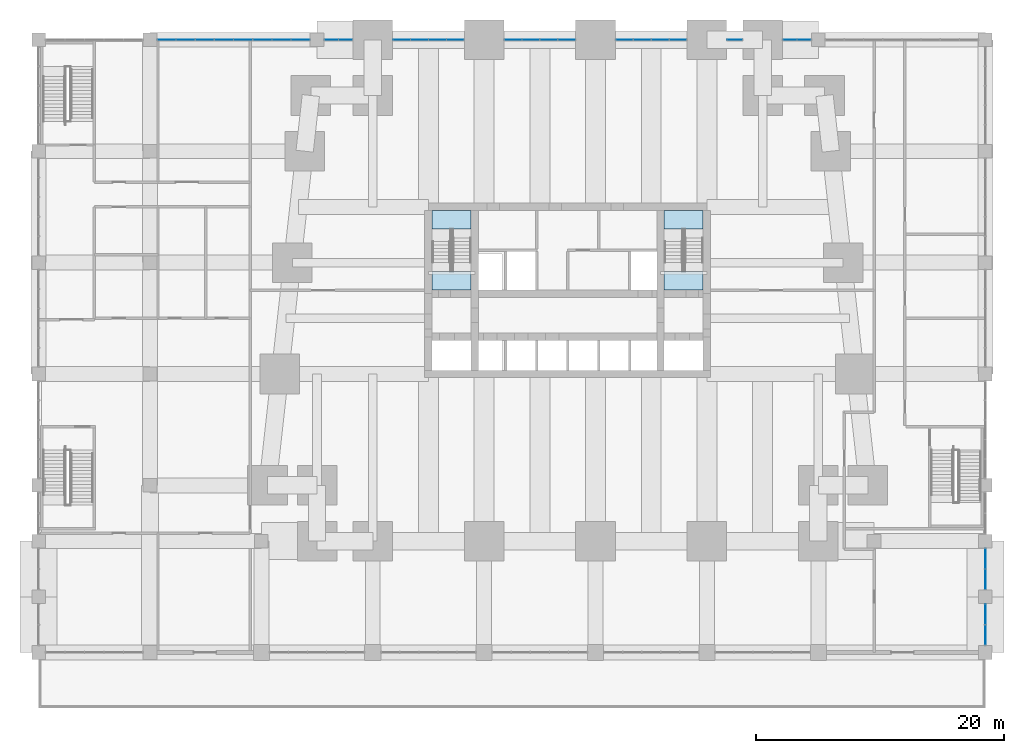
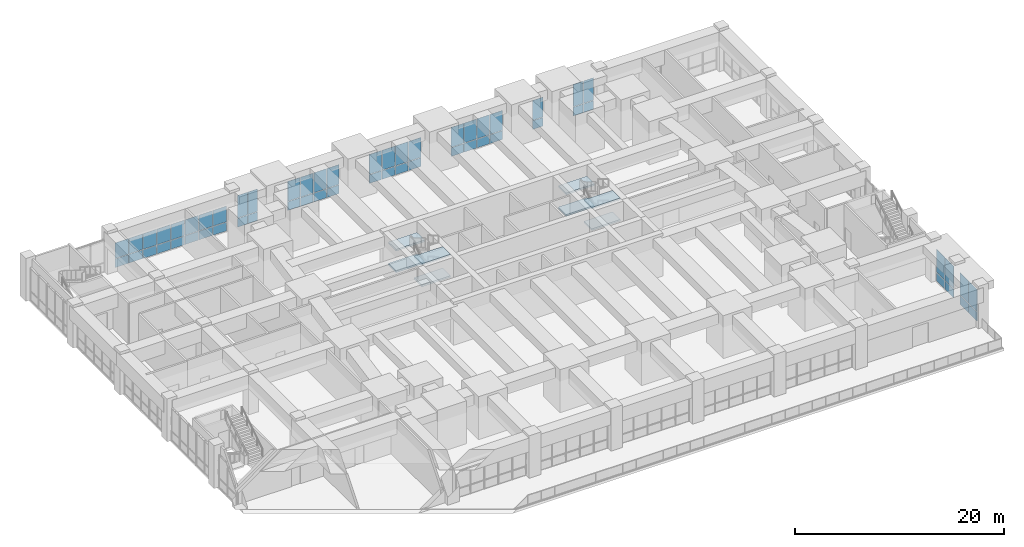
# One storey, part 19 of 27: 58 plates, 8 slabs, 11 elements without a shape of their own.
"""IFC4 building model written with IfcOpenShell, lengths in metres."""

from ifc_helpers import new_model, si_unit, direction, frame, origin, origin_2d, place, context, subcontext, project, spatial, polyline, rectangle, outline, extrude, material, layer, layer_set, type_object, element, aggregate, save


model = new_model("IFC4")

# Units and contexts
model_context = context("Model", 3, precision=1e-05, world=origin(), true_north=direction((0.0, 1.0)))
body_context = subcontext(model_context, "Body", "Model", "MODEL_VIEW")
ifc_project = project(units=[si_unit("LENGTHUNIT", "METRE"), si_unit("AREAUNIT", "SQUARE_METRE"), si_unit("VOLUMEUNIT", "CUBIC_METRE"), si_unit("PLANEANGLEUNIT", "RADIAN"), si_unit("MASSUNIT", "GRAM", prefix="KILO")], contexts=[model_context])

# Site, building, storey
site_placement = place(None, origin())
site = spatial("IfcSite", under=ifc_project, at=site_placement, CompositionType="ELEMENT")
building_placement = place(site_placement, origin())
building = spatial("IfcBuilding", under=site, at=building_placement, Name="Kilele Tower Hotel", CompositionType="ELEMENT")
storey_placement = place(building_placement, frame((0.0, 0.0, 6.0)))
storey = spatial("IfcBuildingStorey", under=building, at=storey_placement, Name="L01", CompositionType="ELEMENT", Elevation=6.0)

# Curtain wall, plates
ifc_material_1 = material(Name="Aluminium curtain wall, clear double glazing", Category="aluminium")
curtain_wall_type_1 = type_object("IfcCurtainWallType", Name="Podium curtain wall CW-1", PredefinedType="NOTDEFINED", material=ifc_material_1)
curtain_wall_1_placement = place(storey_placement, origin())
curtain_wall_1 = element("IfcCurtainWall", 1, at=curtain_wall_1_placement, inside=storey, type_object=curtain_wall_type_1, Name="Podium curtain wall CW-1 L01", PredefinedType="NOTDEFINED")
ifc_material_2 = material(Name="Clear double glazing", Category="glass")
ifc_layer_1 = layer(ifc_material_2, 0.028076171875)
ifc_layer_set_1 = layer_set([ifc_layer_1], Name="Clear double glazing")
plate_type_1 = type_object("IfcPlateType", Name="Glazed panel 28 CW-1", PredefinedType="CURTAIN_PANEL", material=ifc_layer_set_1)
plate_1_placement = place(storey_placement, frame((43.847412109375, 40.5, 0.06005859375), z_axis=(0.0, 0.0, 1.0), x_axis=(-1.0, 0.0, 0.0)))
plate_1 = element("IfcPlate", 2, at=plate_1_placement, type_object=plate_type_1, Name="CW-1 panel 1.1", PredefinedType="CURTAIN_PANEL", context=body_context, shape_type="SweptSolid", body=[
    extrude(rectangle(XDim=1.0849609375, YDim=0.028076171875, at=origin_2d()), origin(), (0.0, 0.0, 1.0), 1.010009765625),
])
plate_2_placement = place(storey_placement, frame((43.847412109375, 40.5, 1.1298828125), z_axis=(0.0, 0.0, 1.0), x_axis=(-1.0, 0.0, 0.0)))
plate_2 = element("IfcPlate", 3, at=plate_2_placement, type_object=plate_type_1, Name="CW-1 panel 1.2", PredefinedType="CURTAIN_PANEL", context=body_context, shape_type="SweptSolid", body=[
    extrude(rectangle(XDim=1.0849609375, YDim=0.028076171875, at=origin_2d()), origin(), (0.0, 0.0, 1.0), 2.610107421875),
])
plate_3_placement = place(storey_placement, frame((42.702392578125, 40.5, 0.06005859375), z_axis=(0.0, 0.0, 1.0), x_axis=(-1.0, 0.0, 0.0)))
plate_3 = element("IfcPlate", 4, at=plate_3_placement, type_object=plate_type_1, Name="CW-1 panel 2.1", PredefinedType="CURTAIN_PANEL", context=body_context, shape_type="SweptSolid", body=[
    extrude(rectangle(XDim=1.0849609375, YDim=0.028076171875, at=origin_2d()), origin(), (0.0, 0.0, 1.0), 1.010009765625),
])
plate_4_placement = place(storey_placement, frame((42.702392578125, 40.5, 1.1298828125), z_axis=(0.0, 0.0, 1.0), x_axis=(-1.0, 0.0, 0.0)))
plate_4 = element("IfcPlate", 5, at=plate_4_placement, type_object=plate_type_1, Name="CW-1 panel 2.2", PredefinedType="CURTAIN_PANEL", context=body_context, shape_type="SweptSolid", body=[
    extrude(rectangle(XDim=1.0849609375, YDim=0.028076171875, at=origin_2d()), origin(), (0.0, 0.0, 1.0), 2.610107421875),
])
aggregate(curtain_wall_1, [plate_1, plate_2, plate_3, plate_4])

curtain_wall_2_placement = place(storey_placement, origin())
curtain_wall_2 = element("IfcCurtainWall", 6, at=curtain_wall_2_placement, inside=storey, type_object=curtain_wall_type_1, Name="Podium curtain wall CW-1 L01", PredefinedType="NOTDEFINED")
plate_5_placement = place(storey_placement, frame((38.25, 40.5, 0.06005859375), z_axis=(0.0, 0.0, 1.0), x_axis=(-1.0, 0.0, 0.0)))
plate_5 = element("IfcPlate", 7, at=plate_5_placement, type_object=plate_type_1, Name="CW-1 panel 1.1", PredefinedType="CURTAIN_PANEL", context=body_context, shape_type="SweptSolid", body=[
    extrude(rectangle(XDim=1.179931640625, YDim=0.028076171875, at=origin_2d()), origin(), (0.0, 0.0, 1.0), 1.010009765625),
])
plate_6_placement = place(storey_placement, frame((38.25, 40.5, 1.1298828125), z_axis=(0.0, 0.0, 1.0), x_axis=(-1.0, 0.0, 0.0)))
plate_6 = element("IfcPlate", 8, at=plate_6_placement, type_object=plate_type_1, Name="CW-1 panel 1.2", PredefinedType="CURTAIN_PANEL", context=body_context, shape_type="SweptSolid", body=[
    extrude(rectangle(XDim=1.179931640625, YDim=0.028076171875, at=origin_2d()), origin(), (0.0, 0.0, 1.0), 2.31005859375),
])
aggregate(curtain_wall_2, [plate_5, plate_6])

curtain_wall_3_placement = place(storey_placement, origin())
curtain_wall_3 = element("IfcCurtainWall", 9, at=curtain_wall_3_placement, inside=storey, type_object=curtain_wall_type_1, Name="Podium curtain wall CW-1 L01", PredefinedType="NOTDEFINED")
plate_7_placement = place(storey_placement, frame((33.659912109375, 40.5, 0.06005859375), z_axis=(0.0, 0.0, 1.0), x_axis=(-1.0, 0.0, 0.0)))
plate_7 = element("IfcPlate", 10, at=plate_7_placement, type_object=plate_type_1, Name="CW-1 panel 1.1", PredefinedType="CURTAIN_PANEL", context=body_context, shape_type="SweptSolid", body=[
    extrude(rectangle(XDim=1.360107421875, YDim=0.028076171875, at=origin_2d()), origin(), (0.0, 0.0, 1.0), 1.010009765625),
])
plate_8_placement = place(storey_placement, frame((33.659912109375, 40.5, 1.1298828125), z_axis=(0.0, 0.0, 1.0), x_axis=(-1.0, 0.0, 0.0)))
plate_8 = element("IfcPlate", 11, at=plate_8_placement, type_object=plate_type_1, Name="CW-1 panel 1.2", PredefinedType="CURTAIN_PANEL", context=body_context, shape_type="SweptSolid", body=[
    extrude(rectangle(XDim=1.360107421875, YDim=0.028076171875, at=origin_2d()), origin(), (0.0, 0.0, 1.0), 2.31005859375),
])
plate_9_placement = place(storey_placement, frame((32.22509765625, 40.5, 0.06005859375), z_axis=(0.0, 0.0, 1.0), x_axis=(-1.0, 0.0, 0.0)))
plate_9 = element("IfcPlate", 12, at=plate_9_placement, type_object=plate_type_1, Name="CW-1 panel 2.1", PredefinedType="CURTAIN_PANEL", context=body_context, shape_type="SweptSolid", body=[
    extrude(rectangle(XDim=1.389892578125, YDim=0.028076171875, at=origin_2d()), origin(), (0.0, 0.0, 1.0), 1.010009765625),
])
plate_10_placement = place(storey_placement, frame((32.22509765625, 40.5, 1.1298828125), z_axis=(0.0, 0.0, 1.0), x_axis=(-1.0, 0.0, 0.0)))
plate_10 = element("IfcPlate", 13, at=plate_10_placement, type_object=plate_type_1, Name="CW-1 panel 2.2", PredefinedType="CURTAIN_PANEL", context=body_context, shape_type="SweptSolid", body=[
    extrude(rectangle(XDim=1.389892578125, YDim=0.028076171875, at=origin_2d()), origin(), (0.0, 0.0, 1.0), 2.31005859375),
])
plate_11_placement = place(storey_placement, frame((30.77490234375, 40.5, 0.06005859375), z_axis=(0.0, 0.0, 1.0), x_axis=(-1.0, 0.0, 0.0)))
plate_11 = element("IfcPlate", 14, at=plate_11_placement, type_object=plate_type_1, Name="CW-1 panel 3.1", PredefinedType="CURTAIN_PANEL", context=body_context, shape_type="SweptSolid", body=[
    extrude(rectangle(XDim=1.389892578125, YDim=0.028076171875, at=origin_2d()), origin(), (0.0, 0.0, 1.0), 1.010009765625),
])
plate_12_placement = place(storey_placement, frame((30.77490234375, 40.5, 1.1298828125), z_axis=(0.0, 0.0, 1.0), x_axis=(-1.0, 0.0, 0.0)))
plate_12 = element("IfcPlate", 15, at=plate_12_placement, type_object=plate_type_1, Name="CW-1 panel 3.2", PredefinedType="CURTAIN_PANEL", context=body_context, shape_type="SweptSolid", body=[
    extrude(rectangle(XDim=1.389892578125, YDim=0.028076171875, at=origin_2d()), origin(), (0.0, 0.0, 1.0), 2.31005859375),
])
plate_13_placement = place(storey_placement, frame((29.340087890625, 40.5, 0.06005859375), z_axis=(0.0, 0.0, 1.0), x_axis=(-1.0, 0.0, 0.0)))
plate_13 = element("IfcPlate", 16, at=plate_13_placement, type_object=plate_type_1, Name="CW-1 panel 4.1", PredefinedType="CURTAIN_PANEL", context=body_context, shape_type="SweptSolid", body=[
    extrude(rectangle(XDim=1.360107421875, YDim=0.028076171875, at=origin_2d()), origin(), (0.0, 0.0, 1.0), 1.010009765625),
])
plate_14_placement = place(storey_placement, frame((29.340087890625, 40.5, 1.1298828125), z_axis=(0.0, 0.0, 1.0), x_axis=(-1.0, 0.0, 0.0)))
plate_14 = element("IfcPlate", 17, at=plate_14_placement, type_object=plate_type_1, Name="CW-1 panel 4.2", PredefinedType="CURTAIN_PANEL", context=body_context, shape_type="SweptSolid", body=[
    extrude(rectangle(XDim=1.360107421875, YDim=0.028076171875, at=origin_2d()), origin(), (0.0, 0.0, 1.0), 2.31005859375),
])
aggregate(curtain_wall_3, [plate_7, plate_8, plate_9, plate_10, plate_11, plate_12, plate_13, plate_14])

curtain_wall_4_placement = place(storey_placement, origin())
curtain_wall_4 = element("IfcCurtainWall", 18, at=curtain_wall_4_placement, inside=storey, type_object=curtain_wall_type_1, Name="Podium curtain wall CW-1 L01", PredefinedType="NOTDEFINED")
plate_15_placement = place(storey_placement, frame((24.659912109375, 40.5, 0.06005859375), z_axis=(0.0, 0.0, 1.0), x_axis=(-1.0, 0.0, 0.0)))
plate_15 = element("IfcPlate", 19, at=plate_15_placement, type_object=plate_type_1, Name="CW-1 panel 1.1", PredefinedType="CURTAIN_PANEL", context=body_context, shape_type="SweptSolid", body=[
    extrude(rectangle(XDim=1.360107421875, YDim=0.028076171875, at=origin_2d()), origin(), (0.0, 0.0, 1.0), 1.010009765625),
])
plate_16_placement = place(storey_placement, frame((24.659912109375, 40.5, 1.1298828125), z_axis=(0.0, 0.0, 1.0), x_axis=(-1.0, 0.0, 0.0)))
plate_16 = element("IfcPlate", 20, at=plate_16_placement, type_object=plate_type_1, Name="CW-1 panel 1.2", PredefinedType="CURTAIN_PANEL", context=body_context, shape_type="SweptSolid", body=[
    extrude(rectangle(XDim=1.360107421875, YDim=0.028076171875, at=origin_2d()), origin(), (0.0, 0.0, 1.0), 2.31005859375),
])
plate_17_placement = place(storey_placement, frame((23.22509765625, 40.5, 0.06005859375), z_axis=(0.0, 0.0, 1.0), x_axis=(-1.0, 0.0, 0.0)))
plate_17 = element("IfcPlate", 21, at=plate_17_placement, type_object=plate_type_1, Name="CW-1 panel 2.1", PredefinedType="CURTAIN_PANEL", context=body_context, shape_type="SweptSolid", body=[
    extrude(rectangle(XDim=1.389892578125, YDim=0.028076171875, at=origin_2d()), origin(), (0.0, 0.0, 1.0), 1.010009765625),
])
plate_18_placement = place(storey_placement, frame((23.22509765625, 40.5, 1.1298828125), z_axis=(0.0, 0.0, 1.0), x_axis=(-1.0, 0.0, 0.0)))
plate_18 = element("IfcPlate", 22, at=plate_18_placement, type_object=plate_type_1, Name="CW-1 panel 2.2", PredefinedType="CURTAIN_PANEL", context=body_context, shape_type="SweptSolid", body=[
    extrude(rectangle(XDim=1.389892578125, YDim=0.028076171875, at=origin_2d()), origin(), (0.0, 0.0, 1.0), 2.31005859375),
])
plate_19_placement = place(storey_placement, frame((21.77490234375, 40.5, 0.06005859375), z_axis=(0.0, 0.0, 1.0), x_axis=(-1.0, 0.0, 0.0)))
plate_19 = element("IfcPlate", 23, at=plate_19_placement, type_object=plate_type_1, Name="CW-1 panel 3.1", PredefinedType="CURTAIN_PANEL", context=body_context, shape_type="SweptSolid", body=[
    extrude(rectangle(XDim=1.389892578125, YDim=0.028076171875, at=origin_2d()), origin(), (0.0, 0.0, 1.0), 1.010009765625),
])
plate_20_placement = place(storey_placement, frame((21.77490234375, 40.5, 1.1298828125), z_axis=(0.0, 0.0, 1.0), x_axis=(-1.0, 0.0, 0.0)))
plate_20 = element("IfcPlate", 24, at=plate_20_placement, type_object=plate_type_1, Name="CW-1 panel 3.2", PredefinedType="CURTAIN_PANEL", context=body_context, shape_type="SweptSolid", body=[
    extrude(rectangle(XDim=1.389892578125, YDim=0.028076171875, at=origin_2d()), origin(), (0.0, 0.0, 1.0), 2.31005859375),
])
plate_21_placement = place(storey_placement, frame((20.340087890625, 40.5, 0.06005859375), z_axis=(0.0, 0.0, 1.0), x_axis=(-1.0, 0.0, 0.0)))
plate_21 = element("IfcPlate", 25, at=plate_21_placement, type_object=plate_type_1, Name="CW-1 panel 4.1", PredefinedType="CURTAIN_PANEL", context=body_context, shape_type="SweptSolid", body=[
    extrude(rectangle(XDim=1.360107421875, YDim=0.028076171875, at=origin_2d()), origin(), (0.0, 0.0, 1.0), 1.010009765625),
])
plate_22_placement = place(storey_placement, frame((20.340087890625, 40.5, 1.1298828125), z_axis=(0.0, 0.0, 1.0), x_axis=(-1.0, 0.0, 0.0)))
plate_22 = element("IfcPlate", 26, at=plate_22_placement, type_object=plate_type_1, Name="CW-1 panel 4.2", PredefinedType="CURTAIN_PANEL", context=body_context, shape_type="SweptSolid", body=[
    extrude(rectangle(XDim=1.360107421875, YDim=0.028076171875, at=origin_2d()), origin(), (0.0, 0.0, 1.0), 2.31005859375),
])
aggregate(curtain_wall_4, [plate_15, plate_16, plate_17, plate_18, plate_19, plate_20, plate_21, plate_22])

curtain_wall_5_placement = place(storey_placement, origin())
curtain_wall_5 = element("IfcCurtainWall", 27, at=curtain_wall_5_placement, inside=storey, type_object=curtain_wall_type_1, Name="Podium curtain wall CW-1 L01", PredefinedType="NOTDEFINED")
plate_23_placement = place(storey_placement, frame((15.659912109375, 40.5, 0.06005859375), z_axis=(0.0, 0.0, 1.0), x_axis=(-1.0, 0.0, 0.0)))
plate_23 = element("IfcPlate", 28, at=plate_23_placement, type_object=plate_type_1, Name="CW-1 panel 1.1", PredefinedType="CURTAIN_PANEL", context=body_context, shape_type="SweptSolid", body=[
    extrude(rectangle(XDim=1.360107421875, YDim=0.028076171875, at=origin_2d()), origin(), (0.0, 0.0, 1.0), 1.010009765625),
])
plate_24_placement = place(storey_placement, frame((15.659912109375, 40.5, 1.1298828125), z_axis=(0.0, 0.0, 1.0), x_axis=(-1.0, 0.0, 0.0)))
plate_24 = element("IfcPlate", 29, at=plate_24_placement, type_object=plate_type_1, Name="CW-1 panel 1.2", PredefinedType="CURTAIN_PANEL", context=body_context, shape_type="SweptSolid", body=[
    extrude(rectangle(XDim=1.360107421875, YDim=0.028076171875, at=origin_2d()), origin(), (0.0, 0.0, 1.0), 2.31005859375),
])
plate_25_placement = place(storey_placement, frame((14.22509765625, 40.5, 0.06005859375), z_axis=(0.0, 0.0, 1.0), x_axis=(-1.0, 0.0, 0.0)))
plate_25 = element("IfcPlate", 30, at=plate_25_placement, type_object=plate_type_1, Name="CW-1 panel 2.1", PredefinedType="CURTAIN_PANEL", context=body_context, shape_type="SweptSolid", body=[
    extrude(rectangle(XDim=1.389892578125, YDim=0.028076171875, at=origin_2d()), origin(), (0.0, 0.0, 1.0), 1.010009765625),
])
plate_26_placement = place(storey_placement, frame((14.22509765625, 40.5, 1.1298828125), z_axis=(0.0, 0.0, 1.0), x_axis=(-1.0, 0.0, 0.0)))
plate_26 = element("IfcPlate", 31, at=plate_26_placement, type_object=plate_type_1, Name="CW-1 panel 2.2", PredefinedType="CURTAIN_PANEL", context=body_context, shape_type="SweptSolid", body=[
    extrude(rectangle(XDim=1.389892578125, YDim=0.028076171875, at=origin_2d()), origin(), (0.0, 0.0, 1.0), 2.31005859375),
])
plate_27_placement = place(storey_placement, frame((12.77490234375, 40.5, 0.06005859375), z_axis=(0.0, 0.0, 1.0), x_axis=(-1.0, 0.0, 0.0)))
plate_27 = element("IfcPlate", 32, at=plate_27_placement, type_object=plate_type_1, Name="CW-1 panel 3.1", PredefinedType="CURTAIN_PANEL", context=body_context, shape_type="SweptSolid", body=[
    extrude(rectangle(XDim=1.389892578125, YDim=0.028076171875, at=origin_2d()), origin(), (0.0, 0.0, 1.0), 1.010009765625),
])
plate_28_placement = place(storey_placement, frame((12.77490234375, 40.5, 1.1298828125), z_axis=(0.0, 0.0, 1.0), x_axis=(-1.0, 0.0, 0.0)))
plate_28 = element("IfcPlate", 33, at=plate_28_placement, type_object=plate_type_1, Name="CW-1 panel 3.2", PredefinedType="CURTAIN_PANEL", context=body_context, shape_type="SweptSolid", body=[
    extrude(rectangle(XDim=1.389892578125, YDim=0.028076171875, at=origin_2d()), origin(), (0.0, 0.0, 1.0), 2.31005859375),
])
plate_29_placement = place(storey_placement, frame((11.340087890625, 40.5, 0.06005859375), z_axis=(0.0, 0.0, 1.0), x_axis=(-1.0, 0.0, 0.0)))
plate_29 = element("IfcPlate", 34, at=plate_29_placement, type_object=plate_type_1, Name="CW-1 panel 4.1", PredefinedType="CURTAIN_PANEL", context=body_context, shape_type="SweptSolid", body=[
    extrude(rectangle(XDim=1.360107421875, YDim=0.028076171875, at=origin_2d()), origin(), (0.0, 0.0, 1.0), 1.010009765625),
])
plate_30_placement = place(storey_placement, frame((11.340087890625, 40.5, 1.1298828125), z_axis=(0.0, 0.0, 1.0), x_axis=(-1.0, 0.0, 0.0)))
plate_30 = element("IfcPlate", 35, at=plate_30_placement, type_object=plate_type_1, Name="CW-1 panel 4.2", PredefinedType="CURTAIN_PANEL", context=body_context, shape_type="SweptSolid", body=[
    extrude(rectangle(XDim=1.360107421875, YDim=0.028076171875, at=origin_2d()), origin(), (0.0, 0.0, 1.0), 2.31005859375),
])
aggregate(curtain_wall_5, [plate_23, plate_24, plate_25, plate_26, plate_27, plate_28, plate_29, plate_30])

curtain_wall_6_placement = place(storey_placement, origin())
curtain_wall_6 = element("IfcCurtainWall", 36, at=curtain_wall_6_placement, inside=storey, type_object=curtain_wall_type_1, Name="Podium curtain wall CW-1 L01", PredefinedType="NOTDEFINED")
plate_31_placement = place(storey_placement, frame((6.797607421875, 40.5, 0.06005859375), z_axis=(0.0, 0.0, 1.0), x_axis=(-1.0, 0.0, 0.0)))
plate_31 = element("IfcPlate", 37, at=plate_31_placement, type_object=plate_type_1, Name="CW-1 panel 1.1", PredefinedType="CURTAIN_PANEL", context=body_context, shape_type="SweptSolid", body=[
    extrude(rectangle(XDim=1.0849609375, YDim=0.028076171875, at=origin_2d()), origin(), (0.0, 0.0, 1.0), 1.010009765625),
])
plate_32_placement = place(storey_placement, frame((6.797607421875, 40.5, 1.1298828125), z_axis=(0.0, 0.0, 1.0), x_axis=(-1.0, 0.0, 0.0)))
plate_32 = element("IfcPlate", 38, at=plate_32_placement, type_object=plate_type_1, Name="CW-1 panel 1.2", PredefinedType="CURTAIN_PANEL", context=body_context, shape_type="SweptSolid", body=[
    extrude(rectangle(XDim=1.0849609375, YDim=0.028076171875, at=origin_2d()), origin(), (0.0, 0.0, 1.0), 2.610107421875),
])
plate_33_placement = place(storey_placement, frame((5.652587890625, 40.5, 0.06005859375), z_axis=(0.0, 0.0, 1.0), x_axis=(-1.0, 0.0, 0.0)))
plate_33 = element("IfcPlate", 39, at=plate_33_placement, type_object=plate_type_1, Name="CW-1 panel 2.1", PredefinedType="CURTAIN_PANEL", context=body_context, shape_type="SweptSolid", body=[
    extrude(rectangle(XDim=1.0849609375, YDim=0.028076171875, at=origin_2d()), origin(), (0.0, 0.0, 1.0), 1.010009765625),
])
plate_34_placement = place(storey_placement, frame((5.652587890625, 40.5, 1.1298828125), z_axis=(0.0, 0.0, 1.0), x_axis=(-1.0, 0.0, 0.0)))
plate_34 = element("IfcPlate", 40, at=plate_34_placement, type_object=plate_type_1, Name="CW-1 panel 2.2", PredefinedType="CURTAIN_PANEL", context=body_context, shape_type="SweptSolid", body=[
    extrude(rectangle(XDim=1.0849609375, YDim=0.028076171875, at=origin_2d()), origin(), (0.0, 0.0, 1.0), 2.610107421875),
])
aggregate(curtain_wall_6, [plate_31, plate_32, plate_33, plate_34])

curtain_wall_7_placement = place(storey_placement, origin())
curtain_wall_7 = element("IfcCurtainWall", 41, at=curtain_wall_7_placement, inside=storey, type_object=curtain_wall_type_1, Name="Podium curtain wall CW-1 L01", PredefinedType="NOTDEFINED")
plate_35_placement = place(storey_placement, frame((3.159912109375, 40.5, 0.06005859375), z_axis=(0.0, 0.0, 1.0), x_axis=(-1.0, 0.0, 0.0)))
plate_35 = element("IfcPlate", 42, at=plate_35_placement, type_object=plate_type_1, Name="CW-1 panel 1.1", PredefinedType="CURTAIN_PANEL", context=body_context, shape_type="SweptSolid", body=[
    extrude(rectangle(XDim=1.4599609375, YDim=0.028076171875, at=origin_2d()), origin(), (0.0, 0.0, 1.0), 1.010009765625),
])
plate_36_placement = place(storey_placement, frame((3.159912109375, 40.5, 1.1298828125), z_axis=(0.0, 0.0, 1.0), x_axis=(-1.0, 0.0, 0.0)))
plate_36 = element("IfcPlate", 43, at=plate_36_placement, type_object=plate_type_1, Name="CW-1 panel 1.2", PredefinedType="CURTAIN_PANEL", context=body_context, shape_type="SweptSolid", body=[
    extrude(rectangle(XDim=1.4599609375, YDim=0.028076171875, at=origin_2d()), origin(), (0.0, 0.0, 1.0), 1.81005859375),
])
plate_37_placement = place(storey_placement, frame((1.625, 40.5, 0.06005859375), z_axis=(0.0, 0.0, 1.0), x_axis=(-1.0, 0.0, 0.0)))
plate_37 = element("IfcPlate", 44, at=plate_37_placement, type_object=plate_type_1, Name="CW-1 panel 2.1", PredefinedType="CURTAIN_PANEL", context=body_context, shape_type="SweptSolid", body=[
    extrude(rectangle(XDim=1.489990234375, YDim=0.028076171875, at=origin_2d()), origin(), (0.0, 0.0, 1.0), 1.010009765625),
])
plate_38_placement = place(storey_placement, frame((1.625, 40.5, 1.1298828125), z_axis=(0.0, 0.0, 1.0), x_axis=(-1.0, 0.0, 0.0)))
plate_38 = element("IfcPlate", 45, at=plate_38_placement, type_object=plate_type_1, Name="CW-1 panel 2.2", PredefinedType="CURTAIN_PANEL", context=body_context, shape_type="SweptSolid", body=[
    extrude(rectangle(XDim=1.489990234375, YDim=0.028076171875, at=origin_2d()), origin(), (0.0, 0.0, 1.0), 1.81005859375),
])
plate_39_placement = place(storey_placement, frame((0.074951171875, 40.5, 0.06005859375), z_axis=(0.0, 0.0, 1.0), x_axis=(-1.0, 0.0, 0.0)))
plate_39 = element("IfcPlate", 46, at=plate_39_placement, type_object=plate_type_1, Name="CW-1 panel 3.1", PredefinedType="CURTAIN_PANEL", context=body_context, shape_type="SweptSolid", body=[
    extrude(rectangle(XDim=1.489990234375, YDim=0.028076171875, at=origin_2d()), origin(), (0.0, 0.0, 1.0), 1.010009765625),
])
plate_40_placement = place(storey_placement, frame((0.074951171875, 40.5, 1.1298828125), z_axis=(0.0, 0.0, 1.0), x_axis=(-1.0, 0.0, 0.0)))
plate_40 = element("IfcPlate", 47, at=plate_40_placement, type_object=plate_type_1, Name="CW-1 panel 3.2", PredefinedType="CURTAIN_PANEL", context=body_context, shape_type="SweptSolid", body=[
    extrude(rectangle(XDim=1.489990234375, YDim=0.028076171875, at=origin_2d()), origin(), (0.0, 0.0, 1.0), 1.81005859375),
])
plate_41_placement = place(storey_placement, frame((-1.47509765625, 40.5, 0.06005859375), z_axis=(0.0, 0.0, 1.0), x_axis=(-1.0, 0.0, 0.0)))
plate_41 = element("IfcPlate", 48, at=plate_41_placement, type_object=plate_type_1, Name="CW-1 panel 4.1", PredefinedType="CURTAIN_PANEL", context=body_context, shape_type="SweptSolid", body=[
    extrude(rectangle(XDim=1.489990234375, YDim=0.028076171875, at=origin_2d()), origin(), (0.0, 0.0, 1.0), 1.010009765625),
])
plate_42_placement = place(storey_placement, frame((-1.47509765625, 40.5, 1.1298828125), z_axis=(0.0, 0.0, 1.0), x_axis=(-1.0, 0.0, 0.0)))
plate_42 = element("IfcPlate", 49, at=plate_42_placement, type_object=plate_type_1, Name="CW-1 panel 4.2", PredefinedType="CURTAIN_PANEL", context=body_context, shape_type="SweptSolid", body=[
    extrude(rectangle(XDim=1.489990234375, YDim=0.028076171875, at=origin_2d()), origin(), (0.0, 0.0, 1.0), 1.81005859375),
])
plate_43_placement = place(storey_placement, frame((-3.02490234375, 40.5, 0.06005859375), z_axis=(0.0, 0.0, 1.0), x_axis=(-1.0, 0.0, 0.0)))
plate_43 = element("IfcPlate", 50, at=plate_43_placement, type_object=plate_type_1, Name="CW-1 panel 5.1", PredefinedType="CURTAIN_PANEL", context=body_context, shape_type="SweptSolid", body=[
    extrude(rectangle(XDim=1.489990234375, YDim=0.028076171875, at=origin_2d()), origin(), (0.0, 0.0, 1.0), 1.010009765625),
])
plate_44_placement = place(storey_placement, frame((-3.02490234375, 40.5, 1.1298828125), z_axis=(0.0, 0.0, 1.0), x_axis=(-1.0, 0.0, 0.0)))
plate_44 = element("IfcPlate", 51, at=plate_44_placement, type_object=plate_type_1, Name="CW-1 panel 5.2", PredefinedType="CURTAIN_PANEL", context=body_context, shape_type="SweptSolid", body=[
    extrude(rectangle(XDim=1.489990234375, YDim=0.028076171875, at=origin_2d()), origin(), (0.0, 0.0, 1.0), 1.81005859375),
])
plate_45_placement = place(storey_placement, frame((-4.574951171875, 40.5, 0.06005859375), z_axis=(0.0, 0.0, 1.0), x_axis=(-1.0, 0.0, 0.0)))
plate_45 = element("IfcPlate", 52, at=plate_45_placement, type_object=plate_type_1, Name="CW-1 panel 6.1", PredefinedType="CURTAIN_PANEL", context=body_context, shape_type="SweptSolid", body=[
    extrude(rectangle(XDim=1.489990234375, YDim=0.028076171875, at=origin_2d()), origin(), (0.0, 0.0, 1.0), 1.010009765625),
])
plate_46_placement = place(storey_placement, frame((-4.574951171875, 40.5, 1.1298828125), z_axis=(0.0, 0.0, 1.0), x_axis=(-1.0, 0.0, 0.0)))
plate_46 = element("IfcPlate", 53, at=plate_46_placement, type_object=plate_type_1, Name="CW-1 panel 6.2", PredefinedType="CURTAIN_PANEL", context=body_context, shape_type="SweptSolid", body=[
    extrude(rectangle(XDim=1.489990234375, YDim=0.028076171875, at=origin_2d()), origin(), (0.0, 0.0, 1.0), 1.81005859375),
])
plate_47_placement = place(storey_placement, frame((-6.125, 40.5, 0.06005859375), z_axis=(0.0, 0.0, 1.0), x_axis=(-1.0, 0.0, 0.0)))
plate_47 = element("IfcPlate", 54, at=plate_47_placement, type_object=plate_type_1, Name="CW-1 panel 7.1", PredefinedType="CURTAIN_PANEL", context=body_context, shape_type="SweptSolid", body=[
    extrude(rectangle(XDim=1.489990234375, YDim=0.028076171875, at=origin_2d()), origin(), (0.0, 0.0, 1.0), 1.010009765625),
])
plate_48_placement = place(storey_placement, frame((-6.125, 40.5, 1.1298828125), z_axis=(0.0, 0.0, 1.0), x_axis=(-1.0, 0.0, 0.0)))
plate_48 = element("IfcPlate", 55, at=plate_48_placement, type_object=plate_type_1, Name="CW-1 panel 7.2", PredefinedType="CURTAIN_PANEL", context=body_context, shape_type="SweptSolid", body=[
    extrude(rectangle(XDim=1.489990234375, YDim=0.028076171875, at=origin_2d()), origin(), (0.0, 0.0, 1.0), 1.81005859375),
])
plate_49_placement = place(storey_placement, frame((-7.659912109375, 40.5, 0.06005859375), z_axis=(0.0, 0.0, 1.0), x_axis=(-1.0, 0.0, 0.0)))
plate_49 = element("IfcPlate", 56, at=plate_49_placement, type_object=plate_type_1, Name="CW-1 panel 8.1", PredefinedType="CURTAIN_PANEL", context=body_context, shape_type="SweptSolid", body=[
    extrude(rectangle(XDim=1.4599609375, YDim=0.028076171875, at=origin_2d()), origin(), (0.0, 0.0, 1.0), 1.010009765625),
])
plate_50_placement = place(storey_placement, frame((-7.659912109375, 40.5, 1.1298828125), z_axis=(0.0, 0.0, 1.0), x_axis=(-1.0, 0.0, 0.0)))
plate_50 = element("IfcPlate", 57, at=plate_50_placement, type_object=plate_type_1, Name="CW-1 panel 8.2", PredefinedType="CURTAIN_PANEL", context=body_context, shape_type="SweptSolid", body=[
    extrude(rectangle(XDim=1.4599609375, YDim=0.028076171875, at=origin_2d()), origin(), (0.0, 0.0, 1.0), 1.81005859375),
])
aggregate(curtain_wall_7, [plate_35, plate_36, plate_37, plate_38, plate_39, plate_40, plate_41, plate_42, plate_43, plate_44, plate_45, plate_46, plate_47, plate_48, plate_49, plate_50])

ifc_material_3 = material(Name="Aluminium curtain wall, clear double glazing", Category="aluminium")
curtain_wall_type_2 = type_object("IfcCurtainWallType", Name="Podium side curtain wall CW-2", PredefinedType="NOTDEFINED", material=ifc_material_3)
curtain_wall_8_placement = place(storey_placement, origin())
curtain_wall_8 = element("IfcCurtainWall", 58, at=curtain_wall_8_placement, inside=storey, type_object=curtain_wall_type_2, Name="Podium side curtain wall CW-2 L01", PredefinedType="NOTDEFINED")
ifc_material_4 = material(Name="Clear double glazing", Category="glass")
ifc_layer_2 = layer(ifc_material_4, 0.028076171875)
ifc_layer_set_2 = layer_set([ifc_layer_2], Name="Clear double glazing")
plate_type_2 = type_object("IfcPlateType", Name="Glazed panel 28 CW-2", PredefinedType="CURTAIN_PANEL", material=ifc_layer_set_2)
plate_51_placement = place(storey_placement, frame((58.5, -7.5849609375, 0.06005859375), z_axis=(0.0, 0.0, 1.0), x_axis=(0.0, 1.0, 0.0)))
plate_51 = element("IfcPlate", 59, at=plate_51_placement, type_object=plate_type_2, Name="CW-2 panel 1.1", PredefinedType="CURTAIN_PANEL", context=body_context, shape_type="SweptSolid", body=[
    extrude(rectangle(XDim=1.610107421875, YDim=0.028076171875, at=origin_2d()), origin(), (0.0, 0.0, 1.0), 1.010009765625),
])
plate_52_placement = place(storey_placement, frame((58.5, -7.5849609375, 1.1298828125), z_axis=(0.0, 0.0, 1.0), x_axis=(0.0, 1.0, 0.0)))
plate_52 = element("IfcPlate", 60, at=plate_52_placement, type_object=plate_type_2, Name="CW-2 panel 1.2", PredefinedType="CURTAIN_PANEL", context=body_context, shape_type="SweptSolid", body=[
    extrude(rectangle(XDim=1.610107421875, YDim=0.028076171875, at=origin_2d()), origin(), (0.0, 0.0, 1.0), 2.610107421875),
])
plate_53_placement = place(storey_placement, frame((58.5, -5.9150390625, 0.06005859375), z_axis=(0.0, 0.0, 1.0), x_axis=(0.0, 1.0, 0.0)))
plate_53 = element("IfcPlate", 61, at=plate_53_placement, type_object=plate_type_2, Name="CW-2 panel 2.1", PredefinedType="CURTAIN_PANEL", context=body_context, shape_type="SweptSolid", body=[
    extrude(rectangle(XDim=1.610107421875, YDim=0.028076171875, at=origin_2d()), origin(), (0.0, 0.0, 1.0), 1.010009765625),
])
plate_54_placement = place(storey_placement, frame((58.5, -5.9150390625, 1.1298828125), z_axis=(0.0, 0.0, 1.0), x_axis=(0.0, 1.0, 0.0)))
plate_54 = element("IfcPlate", 62, at=plate_54_placement, type_object=plate_type_2, Name="CW-2 panel 2.2", PredefinedType="CURTAIN_PANEL", context=body_context, shape_type="SweptSolid", body=[
    extrude(rectangle(XDim=1.610107421875, YDim=0.028076171875, at=origin_2d()), origin(), (0.0, 0.0, 1.0), 2.610107421875),
])
aggregate(curtain_wall_8, [plate_51, plate_52, plate_53, plate_54])

curtain_wall_9_placement = place(storey_placement, origin())
curtain_wall_9 = element("IfcCurtainWall", 63, at=curtain_wall_9_placement, inside=storey, type_object=curtain_wall_type_2, Name="Podium side curtain wall CW-2 L01", PredefinedType="NOTDEFINED")
plate_55_placement = place(storey_placement, frame((58.5, -3.0849609375, 0.06005859375), z_axis=(0.0, 0.0, 1.0), x_axis=(0.0, 1.0, 0.0)))
plate_55 = element("IfcPlate", 64, at=plate_55_placement, type_object=plate_type_2, Name="CW-2 panel 1.1", PredefinedType="CURTAIN_PANEL", context=body_context, shape_type="SweptSolid", body=[
    extrude(rectangle(XDim=1.610107421875, YDim=0.028076171875, at=origin_2d()), origin(), (0.0, 0.0, 1.0), 1.010009765625),
])
plate_56_placement = place(storey_placement, frame((58.5, -3.0849609375, 1.1298828125), z_axis=(0.0, 0.0, 1.0), x_axis=(0.0, 1.0, 0.0)))
plate_56 = element("IfcPlate", 65, at=plate_56_placement, type_object=plate_type_2, Name="CW-2 panel 1.2", PredefinedType="CURTAIN_PANEL", context=body_context, shape_type="SweptSolid", body=[
    extrude(rectangle(XDim=1.610107421875, YDim=0.028076171875, at=origin_2d()), origin(), (0.0, 0.0, 1.0), 2.610107421875),
])
plate_57_placement = place(storey_placement, frame((58.5, -1.4150390625, 0.06005859375), z_axis=(0.0, 0.0, 1.0), x_axis=(0.0, 1.0, 0.0)))
plate_57 = element("IfcPlate", 66, at=plate_57_placement, type_object=plate_type_2, Name="CW-2 panel 2.1", PredefinedType="CURTAIN_PANEL", context=body_context, shape_type="SweptSolid", body=[
    extrude(rectangle(XDim=1.610107421875, YDim=0.028076171875, at=origin_2d()), origin(), (0.0, 0.0, 1.0), 1.010009765625),
])
plate_58_placement = place(storey_placement, frame((58.5, -1.4150390625, 1.1298828125), z_axis=(0.0, 0.0, 1.0), x_axis=(0.0, 1.0, 0.0)))
plate_58 = element("IfcPlate", 67, at=plate_58_placement, type_object=plate_type_2, Name="CW-2 panel 2.2", PredefinedType="CURTAIN_PANEL", context=body_context, shape_type="SweptSolid", body=[
    extrude(rectangle(XDim=1.610107421875, YDim=0.028076171875, at=origin_2d()), origin(), (0.0, 0.0, 1.0), 2.610107421875),
])
aggregate(curtain_wall_9, [plate_55, plate_56, plate_57, plate_58])

# Stair, slabs
ifc_material_5 = material(Name="Precast concrete C40/50", Category="concrete")
stair_type = type_object("IfcStairType", Name="Stair 1475 x 5000", PredefinedType="HALF_TURN_STAIR", material=ifc_material_5)
stair_1_placement = place(storey_placement, origin())
stair_1 = element("IfcStair", 68, at=stair_1_placement, inside=storey, type_object=stair_type, Name="Stair 1 L01", PredefinedType="HALF_TURN_STAIR")
ifc_material_6 = material(Name="Precast concrete C40/50", Category="concrete")
ifc_layer_3 = layer(ifc_material_6, 0.199951171875)
ifc_layer_set_3 = layer_set([ifc_layer_3], Name="Precast concrete C40/50")
slab_type = type_object("IfcSlabType", Name="Stair landing 200", PredefinedType="LANDING", material=ifc_layer_set_3)
slab_1_placement = place(storey_placement, frame((0.0, 0.0, 0.966796875)))
slab_1 = element("IfcSlab", 69, at=slab_1_placement, type_object=slab_type, Name="ST1 landing 1", PredefinedType="LANDING", context=body_context, shape_type="SweptSolid", body=[
    extrude(outline(polyline([(13.800048828125, 25.22509765625), (16.949951171875, 25.22509765625), (16.949951171875, 26.699951171875), (13.800048828125, 26.699951171875), (13.800048828125, 25.22509765625)])), origin(), (0.0, 0.0, 1.0), 0.199951171875),
])
slab_2_placement = place(storey_placement, frame((0.0, 0.0, 2.300048828125)))
slab_2 = element("IfcSlab", 70, at=slab_2_placement, type_object=slab_type, Name="ST1 landing 2", PredefinedType="LANDING", context=body_context, shape_type="SweptSolid", body=[
    extrude(outline(polyline([(13.800048828125, 20.300048828125), (16.949951171875, 20.300048828125), (16.949951171875, 21.77490234375), (13.800048828125, 21.77490234375), (13.800048828125, 20.300048828125)])), origin(), (0.0, 0.0, 1.0), 0.199951171875),
])
slab_3_placement = place(storey_placement, frame((0.0, 0.0, 3.466796875)))
slab_3 = element("IfcSlab", 71, at=slab_3_placement, type_object=slab_type, Name="ST1 landing 3", PredefinedType="LANDING", context=body_context, shape_type="SweptSolid", body=[
    extrude(outline(polyline([(13.800048828125, 25.22509765625), (16.949951171875, 25.22509765625), (16.949951171875, 26.699951171875), (13.800048828125, 26.699951171875), (13.800048828125, 25.22509765625)])), origin(), (0.0, 0.0, 1.0), 0.199951171875),
])
slab_4_placement = place(storey_placement, frame((0.0, 0.0, 4.800048828125)))
slab_4 = element("IfcSlab", 72, at=slab_4_placement, type_object=slab_type, Name="ST1 landing 4", PredefinedType="LANDING", context=body_context, shape_type="SweptSolid", body=[
    extrude(outline(polyline([(13.800048828125, 20.300048828125), (16.949951171875, 20.300048828125), (16.949951171875, 21.77490234375), (13.800048828125, 21.77490234375), (13.800048828125, 20.300048828125)])), origin(), (0.0, 0.0, 1.0), 0.199951171875),
])
aggregate(stair_1, [slab_1, slab_2, slab_3, slab_4])

stair_2_placement = place(storey_placement, origin())
stair_2 = element("IfcStair", 73, at=stair_2_placement, inside=storey, type_object=stair_type, Name="Stair 2 L01", PredefinedType="HALF_TURN_STAIR")
slab_5_placement = place(storey_placement, frame((0.0, 0.0, 0.966796875)))
slab_5 = element("IfcSlab", 74, at=slab_5_placement, type_object=slab_type, Name="ST2 landing 1", PredefinedType="LANDING", context=body_context, shape_type="SweptSolid", body=[
    extrude(outline(polyline([(32.550048828125, 25.22509765625), (35.699951171875, 25.22509765625), (35.699951171875, 26.699951171875), (32.550048828125, 26.699951171875), (32.550048828125, 25.22509765625)])), origin(), (0.0, 0.0, 1.0), 0.199951171875),
])
slab_6_placement = place(storey_placement, frame((0.0, 0.0, 2.300048828125)))
slab_6 = element("IfcSlab", 75, at=slab_6_placement, type_object=slab_type, Name="ST2 landing 2", PredefinedType="LANDING", context=body_context, shape_type="SweptSolid", body=[
    extrude(outline(polyline([(32.550048828125, 20.300048828125), (35.699951171875, 20.300048828125), (35.699951171875, 21.77490234375), (32.550048828125, 21.77490234375), (32.550048828125, 20.300048828125)])), origin(), (0.0, 0.0, 1.0), 0.199951171875),
])
slab_7_placement = place(storey_placement, frame((0.0, 0.0, 3.466796875)))
slab_7 = element("IfcSlab", 76, at=slab_7_placement, type_object=slab_type, Name="ST2 landing 3", PredefinedType="LANDING", context=body_context, shape_type="SweptSolid", body=[
    extrude(outline(polyline([(32.550048828125, 25.22509765625), (35.699951171875, 25.22509765625), (35.699951171875, 26.699951171875), (32.550048828125, 26.699951171875), (32.550048828125, 25.22509765625)])), origin(), (0.0, 0.0, 1.0), 0.199951171875),
])
slab_8_placement = place(storey_placement, frame((0.0, 0.0, 4.800048828125)))
slab_8 = element("IfcSlab", 77, at=slab_8_placement, type_object=slab_type, Name="ST2 landing 4", PredefinedType="LANDING", context=body_context, shape_type="SweptSolid", body=[
    extrude(outline(polyline([(32.550048828125, 20.300048828125), (35.699951171875, 20.300048828125), (35.699951171875, 21.77490234375), (32.550048828125, 21.77490234375), (32.550048828125, 20.300048828125)])), origin(), (0.0, 0.0, 1.0), 0.199951171875),
])
aggregate(stair_2, [slab_5, slab_6, slab_7, slab_8])

save(model, "model.ifc")
